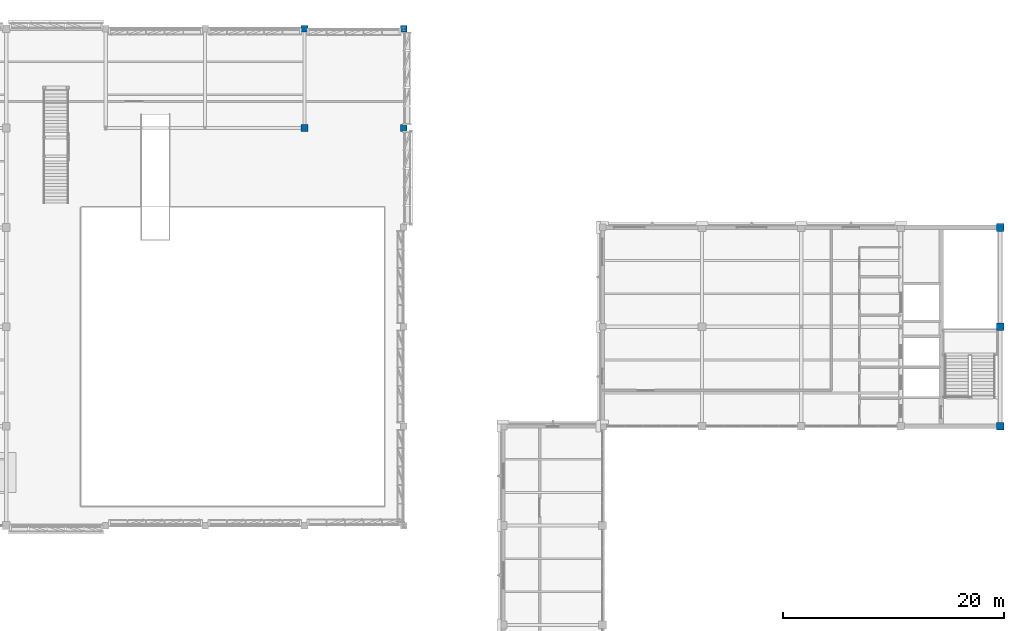
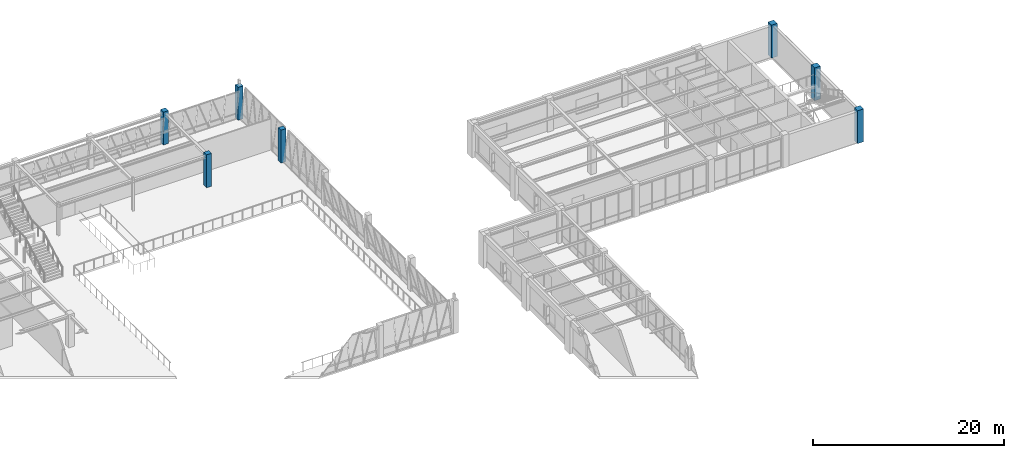
# One storey, part 12 of 108: 7 columns.
"""IFC4 building model written with IfcOpenShell, lengths in metres."""

import ifcopenshell
import ifcopenshell.guid

model = None  # the IFC model being written
_history = None  # IfcOwnerHistory: only IFC2X3 demands one
_inside = {}  # id of a spatial element -> (the spatial element, [elements in it])
_under = {}  # id of a project, library or spatial element -> (it, [spatial elements below it])
_declared = {}  # id of a project -> (the project, [libraries it declares])
_typed = {}  # id of a type object -> (the type object, [elements of that type])
_made_of = {}  # id of a material, layer set ... -> (it, [elements and type objects made of it])


def new_model(schema):
    """Start an empty IFC model of exactly this schema.

    Asked for "IFC4X3", IfcOpenShell would pick the latest addendum, in which some entities
    have other attributes; the version numbers below select the first issue.
    IFC2X3 requires an IfcOwnerHistory on every rooted entity: one is made here for all.
    """
    global model, _history
    if schema == "IFC4X3":
        model = ifcopenshell.file(schema_version=(4, 3, 0, 0))
    else:
        model = ifcopenshell.file(schema=schema)
    _inside.clear()
    _under.clear()
    _declared.clear()
    _typed.clear()
    _made_of.clear()
    _history = None
    if model.schema == "IFC2X3":
        org = make("IfcOrganization", Name="unknown")
        user = make(
            "IfcPersonAndOrganization",
            ThePerson=make("IfcPerson", FamilyName="unknown"),
            TheOrganization=org,
        )
        app = make(
            "IfcApplication",
            ApplicationDeveloper=org,
            Version="unknown",
            ApplicationFullName="unknown",
            ApplicationIdentifier="unknown",
        )
        _history = make(
            "IfcOwnerHistory",
            OwningUser=user,
            OwningApplication=app,
            ChangeAction="ADDED",
            CreationDate=0,
        )
    return model


def make(cls, **values):
    """One entity of the class cls with the attributes given. An attribute that is None is left unset."""
    return model.create_entity(
        cls, **{name: value for name, value in values.items() if value is not None}
    )


def rooted(cls, **values):
    """An entity with a GlobalId (a new one), such as an element, a storey or a relation."""
    return make(cls, GlobalId=ifcopenshell.guid.new(), OwnerHistory=_history, **values)


def si_unit(unit_type, name, prefix=None):
    """IfcSIUnit, for example si_unit("LENGTHUNIT", "METRE", prefix="MILLI")."""
    return make("IfcSIUnit", UnitType=unit_type, Prefix=prefix, Name=name)


def assignment(units):
    """IfcUnitAssignment: the units of a project."""
    return None if units is None else make("IfcUnitAssignment", Units=units)


def point(xyz):
    """IfcCartesianPoint."""
    return None if xyz is None else make("IfcCartesianPoint", Coordinates=xyz)


def direction(xyz):
    """IfcDirection."""
    return None if xyz is None else make("IfcDirection", DirectionRatios=xyz)


def frame(location, z_axis=None, x_axis=None):
    """IfcAxis2Placement3D, a coordinate frame: its origin and axes. An axis left out is left unset."""
    return make(
        "IfcAxis2Placement3D",
        Location=point(location),
        Axis=direction(z_axis),
        RefDirection=direction(x_axis),
    )


def frame_2d(location, x_axis=None):
    """IfcAxis2Placement2D, a coordinate frame in the plane: its origin and x axis."""
    return make(
        "IfcAxis2Placement2D", Location=point(location), RefDirection=direction(x_axis)
    )


def origin():
    """The frame at (0, 0, 0) with its axes left unset."""
    return frame((0.0, 0.0, 0.0))


def origin_2d():
    """The frame at (0, 0) in the plane with its x axis left unset."""
    return frame_2d((0.0, 0.0))


def place(relative_to, where):
    """IfcLocalPlacement: puts the frame where relative to a parent placement (None: the world)."""
    return make(
        "IfcLocalPlacement", PlacementRelTo=relative_to, RelativePlacement=where
    )


def context(
    kind, dimensions, precision=None, world=None, true_north=None, identifier=None
):
    """IfcGeometricRepresentationContext, for example the 3D "Model" context."""
    return make(
        "IfcGeometricRepresentationContext",
        ContextIdentifier=identifier,
        ContextType=kind,
        CoordinateSpaceDimension=dimensions,
        Precision=precision,
        WorldCoordinateSystem=world,
        TrueNorth=true_north,
    )


def subcontext(parent, identifier, kind, view, scale=None):
    """IfcGeometricRepresentationSubContext, for example "Body" below "Model"."""
    return make(
        "IfcGeometricRepresentationSubContext",
        ContextIdentifier=identifier,
        ContextType=kind,
        ParentContext=parent,
        TargetScale=scale,
        TargetView=view,
    )


def project(units=None, contexts=None):
    """IfcProject with its units and contexts."""
    return rooted(
        "IfcProject",
        Name="project",
        RepresentationContexts=contexts,
        UnitsInContext=assignment(units),
    )


def spatial(cls, under=None, at=None, **own):
    """A site, building, storey or space (cls), placed at a placement, below another one or the project."""
    s = rooted(cls, ObjectPlacement=at, **own)
    if under is not None:
        _under.setdefault(under.id(), (under, []))[1].append(s)
    return s


def profile(cls, at=None, kind="AREA", **sizes):
    """A parametric profile (cls). Its sizes go by their IFC names, for example OverallWidth=200.0."""
    return make(cls, ProfileType=kind, Position=at, **sizes)


def rectangle(**sizes):
    """IfcRectangleProfileDef."""
    return profile("IfcRectangleProfileDef", **sizes)


def extrude(swept, where, along, depth):
    """IfcExtrudedAreaSolid: the profile swept, set in the frame where, extruded along a direction by depth."""
    return make(
        "IfcExtrudedAreaSolid",
        SweptArea=swept,
        Position=where,
        ExtrudedDirection=direction(along),
        Depth=depth,
    )


def shape(context_of_items, identifier, shape_type, items):
    """IfcShapeRepresentation: the items that make up one representation, for example the "Body"."""
    return make(
        "IfcShapeRepresentation",
        ContextOfItems=context_of_items,
        RepresentationIdentifier=identifier,
        RepresentationType=shape_type,
        Items=items,
    )


def material(Name=None, Category=None):
    """IfcMaterial."""
    return make("IfcMaterial", Name=Name, Category=Category)


def material_profile(
    of_material, cross_section, Name=None, Category=None, Priority=None
):
    """IfcMaterialProfile: a cross section and its material."""
    return make(
        "IfcMaterialProfile",
        Name=Name,
        Material=of_material,
        Profile=cross_section,
        Priority=Priority,
        Category=Category,
    )


def profile_set(profiles, Name=None, composite=None):
    """IfcMaterialProfileSet."""
    return make(
        "IfcMaterialProfileSet",
        Name=Name,
        MaterialProfiles=profiles,
        CompositeProfile=composite,
    )


def made_of(thing, what):
    """Note that an element or type object is made of a material, layer set ...; save() writes the relation."""
    if what is not None:
        _made_of.setdefault(what.id(), (what, []))[1].append(thing)
    return thing


def type_object(cls, material=None, **own):
    """A type object (cls), such as IfcWallType, which elements share."""
    return made_of(rooted(cls, **own), material)


def element(
    cls,
    number,
    at=None,
    inside=None,
    cuts=None,
    type_object=None,
    material=None,
    context=None,
    identifier="Body",
    shape_type=None,
    held_by="IfcProductDefinitionShape",
    body=None,
    shapes=None,
    **own,
):
    """One element of the class cls, such as IfcWall. Its Tag is "e" and its number.

    at: its placement. inside: the storey or other place that contains it. cuts: it is an
    opening in that element (IfcRelVoidsElement). A single representation is given by context,
    identifier, shape_type and body (its items); several are given by shapes. held_by: the class
    of the entity that holds the representations. save() writes the other relations.
    """
    e = rooted(cls, Tag="e%d" % number, ObjectPlacement=at, **own)
    if body is not None:
        shapes = [shape(context, identifier, shape_type, body)]
    if shapes is not None:
        e.Representation = make(held_by, Representations=shapes)
    if inside is not None:
        _inside.setdefault(inside.id(), (inside, []))[1].append(e)
    if cuts is not None:
        rooted(
            "IfcRelVoidsElement", RelatingBuildingElement=cuts, RelatedOpeningElement=e
        )
    if type_object is not None:
        _typed.setdefault(type_object.id(), (type_object, []))[1].append(e)
    return made_of(e, material)


def aggregate(whole, parts):
    """IfcRelAggregates: a whole, such as a stair, and the parts it consists of."""
    return rooted("IfcRelAggregates", RelatingObject=whole, RelatedObjects=parts)


def save(model, path):
    """Write the relations noted so far, then the file.

    IfcRelAggregates (storeys below a building ...), IfcRelContainedInSpatialStructure (elements
    in a storey), IfcRelDefinesByType, IfcRelAssociatesMaterial and IfcRelDeclares: one each for
    every whole, place, type object, material and project.
    """
    for whole, parts in _under.values():
        aggregate(whole, parts)
    for where, things in _inside.values():
        rooted(
            "IfcRelContainedInSpatialStructure",
            RelatedElements=things,
            RelatingStructure=where,
        )
    for kind, things in _typed.values():
        rooted("IfcRelDefinesByType", RelatedObjects=things, RelatingType=kind)
    for what, things in _made_of.values():
        rooted("IfcRelAssociatesMaterial", RelatedObjects=things, RelatingMaterial=what)
    for by, libraries in _declared.values():
        rooted("IfcRelDeclares", RelatingContext=by, RelatedDefinitions=libraries)
    model.write(path)


model = new_model("IFC4")

# Units and contexts
model_context = context("Model", 3, precision=1e-05, world=origin(), true_north=direction((0.0, 1.0)))
body_context = subcontext(model_context, "Body", "Model", "MODEL_VIEW")
ifc_project = project(units=[si_unit("LENGTHUNIT", "METRE"), si_unit("AREAUNIT", "SQUARE_METRE"), si_unit("VOLUMEUNIT", "CUBIC_METRE"), si_unit("PLANEANGLEUNIT", "RADIAN"), si_unit("MASSUNIT", "GRAM", prefix="KILO")], contexts=[model_context])

# Site, building, storey
site_placement = place(None, origin())
site = spatial("IfcSite", under=ifc_project, at=site_placement, CompositionType="ELEMENT")
building_placement = place(site_placement, origin())
building = spatial("IfcBuilding", under=site, at=building_placement, Name="Lykobir Media Centre", CompositionType="ELEMENT")
storey_placement = place(building_placement, frame((0.0, 0.0, 15.0)))
storey = spatial("IfcBuildingStorey", under=building, at=storey_placement, Name="L03", CompositionType="ELEMENT", Elevation=15.0)

# Columns
ifc_material = material(Name="Concrete C40/50", Category="concrete")
ifc_material_profile_1 = material_profile(ifc_material, rectangle(XDim=0.60009765625, YDim=0.60009765625, at=origin_2d()), Name="RC 600x600")
ifc_profile_set_1 = profile_set([ifc_material_profile_1], Name="Concrete C40/50")
column_type_1 = type_object("IfcColumnType", Name="RC-C600", PredefinedType="COLUMN", material=ifc_profile_set_1)
column_placement = place(storey_placement, frame((72.0, 99.0, 0.0), z_axis=(0.0, 0.0, 1.0), x_axis=(1.0, 0.0, 0.0)))
element("IfcColumn", 1, at=column_placement, inside=storey, type_object=column_type_1, Name="Column COL-L03-0720-0990", PredefinedType="COLUMN", context=body_context, shape_type="SweptSolid", body=[
    extrude(rectangle(XDim=0.60009765625, YDim=0.60009765625, at=origin_2d()), origin(), (0.0, 0.0, 1.0), 4.199951171875),
])
ifc_material_profile_2 = material_profile(ifc_material, rectangle(XDim=0.60009765625, YDim=0.60009765625, at=origin_2d()), Name="RC 600x600")
ifc_profile_set_2 = profile_set([ifc_material_profile_2], Name="Concrete C40/50")
column_type_2 = type_object("IfcColumnType", Name="RC-C600-E", PredefinedType="COLUMN", material=ifc_profile_set_2)
for number, where, z_axis, x_axis, name in (
    (2, (72.0, 108.0, 0.0), (0.0, 0.0, 1.0), (1.0, 0.0, 0.0), "Column COL-L03-0720-1080"),
    (3, (81.0, 99.0, 0.0), (0.0, 0.0, 1.0), (1.0, 0.0, 0.0), "Column COL-L03-0810-0990"),
    (4, (81.0, 108.0, 0.0), (0.0, 0.0, 1.0), (1.0, 0.0, 0.0), "Column COL-L03-0810-1080"),
):
    element("IfcColumn", number, at=place(storey_placement, frame(where, z_axis=z_axis, x_axis=x_axis)), inside=storey, type_object=column_type_2, Name=name, PredefinedType="COLUMN", context=body_context, shape_type="SweptSolid", body=[
        extrude(rectangle(XDim=0.60009765625, YDim=0.60009765625, at=origin_2d()), origin(), (0.0, 0.0, 1.0), 4.199951171875),
    ])
ifc_material_profile_3 = material_profile(ifc_material, rectangle(XDim=0.699951171875, YDim=0.699951171875, at=origin_2d()), Name="RC 700x700")
ifc_profile_set_3 = profile_set([ifc_material_profile_3], Name="Concrete C40/50")
column_type_3 = type_object("IfcColumnType", Name="RC-C700", PredefinedType="COLUMN", material=ifc_profile_set_3)
for number, where, z_axis, x_axis, name in (
    (5, (135.0, 72.0, 0.0), (0.0, 0.0, 1.0), (1.0, 0.0, 0.0), "Column COL-L03-1350-0720"),
    (6, (135.0, 81.0, 0.0), (0.0, 0.0, 1.0), (1.0, 0.0, 0.0), "Column COL-L03-1350-0810"),
    (7, (135.0, 90.0, 0.0), (0.0, 0.0, 1.0), (1.0, 0.0, 0.0), "Column COL-L03-1350-0900"),
):
    element("IfcColumn", number, at=place(storey_placement, frame(where, z_axis=z_axis, x_axis=x_axis)), inside=storey, type_object=column_type_3, Name=name, PredefinedType="COLUMN", context=body_context, shape_type="SweptSolid", body=[
        extrude(rectangle(XDim=0.699951171875, YDim=0.699951171875, at=origin_2d()), origin(), (0.0, 0.0, 1.0), 4.199951171875),
    ])

save(model, "model.ifc")
